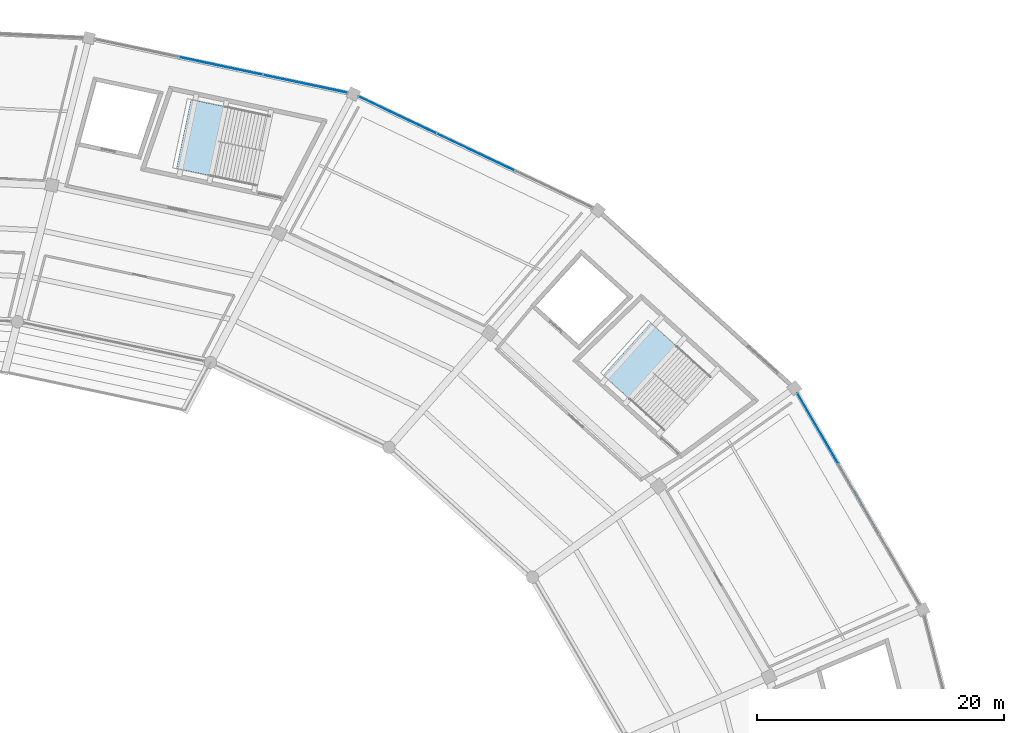
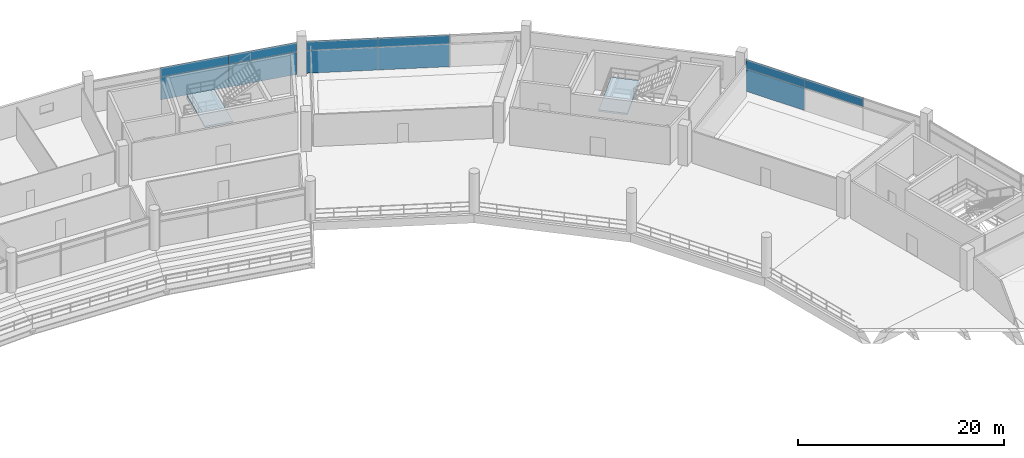
# One storey, part 127 of 171: 11 plates, 2 slabs, 5 elements without a shape of their own.
"""IFC4 building model written with IfcOpenShell, lengths in metres."""

from ifc_helpers import new_model, si_unit, direction, frame, origin, origin_2d, place, context, subcontext, project, spatial, polyline, rectangle, outline, extrude, material, layer, layer_set, type_object, element, aggregate, save


model = new_model("IFC4")

# Units and contexts
model_context = context("Model", 3, precision=1e-05, world=origin(), true_north=direction((0.0, 1.0)))
body_context = subcontext(model_context, "Body", "Model", "MODEL_VIEW")
ifc_project = project(units=[si_unit("LENGTHUNIT", "METRE"), si_unit("AREAUNIT", "SQUARE_METRE"), si_unit("VOLUMEUNIT", "CUBIC_METRE"), si_unit("PLANEANGLEUNIT", "RADIAN"), si_unit("MASSUNIT", "GRAM", prefix="KILO")], contexts=[model_context])

# Site, building, storey
site_placement = place(None, origin())
site = spatial("IfcSite", under=ifc_project, at=site_placement, CompositionType="ELEMENT")
building_placement = place(site_placement, origin())
building = spatial("IfcBuilding", under=site, at=building_placement, Name="Kazemori Nagisa Stadium", CompositionType="ELEMENT")
storey_placement = place(building_placement, frame((0.0, 0.0, 15.639892578125)))
storey = spatial("IfcBuildingStorey", under=building, at=storey_placement, Name="L03", CompositionType="ELEMENT", Elevation=15.639892578125)

# Curtain wall, plates
ifc_material_1 = material(Name="Anodised aluminium 6063-T5", Category="aluminium")
ifc_layer_1 = layer(ifc_material_1, 0.2099609375, Name="Anodised aluminium 6063-T5", Category="aluminium")
ifc_layer_set_1 = layer_set([ifc_layer_1], Name="Anodised aluminium 6063-T5")
curtain_wall_type_1 = type_object("IfcCurtainWallType", Name="CW_L03R3_105", PredefinedType="USERDEFINED", material=ifc_layer_set_1)
curtain_wall_1_placement = place(storey_placement, origin())
curtain_wall_1 = element("IfcCurtainWall", 1, at=curtain_wall_1_placement, inside=storey, type_object=curtain_wall_type_1, Name="Unitised curtain wall CW-L03R3-105 L03", ObjectType="UNITISED CURTAIN WALL", PredefinedType="USERDEFINED")
ifc_material_2 = material(Name="Anodised aluminium spandrel sheet", Category="aluminium")
ifc_layer_2 = layer(ifc_material_2, 0.050048828125, Name="Anodised aluminium spandrel sheet", Category="aluminium")
ifc_layer_set_2 = layer_set([ifc_layer_2], Name="Anodised aluminium spandrel sheet")
plate_type_1 = type_object("IfcPlateType", Name="CWPanel_SPN_L03R3_105", PredefinedType="CURTAIN_PANEL", material=ifc_layer_set_2)
plate_1_placement = place(storey_placement, frame((175.701416015625, 177.76171875, 2.705078125), z_axis=(0.0, 0.0, 1.0), x_axis=(-0.903215892654, 0.429186499388, 0.0)))
plate_1 = element("IfcPlate", 2, at=plate_1_placement, type_object=plate_type_1, Name="Curtain wall spandrel panel CW-L03R3-105-S2", PredefinedType="CURTAIN_PANEL", context=body_context, shape_type="SweptSolid", body=[
    extrude(rectangle(XDim=6.964111328125, YDim=0.050048828125, at=origin_2d()), origin(), (0.0, 0.0, 1.0), 1.10498046875),
])
plate_2_placement = place(storey_placement, frame((169.3896484375, 180.7607421875, 2.705078125), z_axis=(0.0, 0.0, 1.0), x_axis=(-0.903215892654, 0.429186499388, 0.0)))
plate_2 = element("IfcPlate", 3, at=plate_2_placement, type_object=plate_type_1, Name="Curtain wall spandrel panel CW-L03R3-105-S3", PredefinedType="CURTAIN_PANEL", context=body_context, shape_type="SweptSolid", body=[
    extrude(rectangle(XDim=6.964111328125, YDim=0.050048828125, at=origin_2d()), origin(), (0.0, 0.0, 1.0), 1.10498046875),
])

curtain_wall_2_placement = place(storey_placement, origin())
curtain_wall_2 = element("IfcCurtainWall", 4, at=curtain_wall_2_placement, inside=storey, type_object=curtain_wall_type_1, Name="Unitised curtain wall CW-L03R3-105 L03", ObjectType="UNITISED CURTAIN WALL", PredefinedType="USERDEFINED")
plate_3_placement = place(storey_placement, frame((161.93212890625, 183.283447265625, 2.705078125), z_axis=(0.0, 0.0, 1.0), x_axis=(-0.978344955407, 0.206981033502, 0.0)))
plate_3 = element("IfcPlate", 5, at=plate_3_placement, type_object=plate_type_1, Name="Curtain wall spandrel panel CW-L03R3-105-S1", PredefinedType="CURTAIN_PANEL", context=body_context, shape_type="SweptSolid", body=[
    extrude(rectangle(XDim=6.942626953125, YDim=0.050048828125, at=origin_2d()), origin(), (0.0, 0.0, 1.0), 1.10498046875),
])
plate_4_placement = place(storey_placement, frame((155.1162109375, 184.7255859375, 2.705078125), z_axis=(0.0, 0.0, 1.0), x_axis=(-0.978344955407, 0.206981033502, 0.0)))
plate_4 = element("IfcPlate", 6, at=plate_4_placement, type_object=plate_type_1, Name="Curtain wall spandrel panel CW-L03R3-105-S2", PredefinedType="CURTAIN_PANEL", context=body_context, shape_type="SweptSolid", body=[
    extrude(rectangle(XDim=6.942626953125, YDim=0.050048828125, at=origin_2d()), origin(), (0.0, 0.0, 1.0), 1.10498046875),
])

ifc_layer_3 = layer(ifc_material_1, 0.2099609375, Name="Anodised aluminium 6063-T5", Category="aluminium")
ifc_layer_set_3 = layer_set([ifc_layer_3], Name="Anodised aluminium 6063-T5")
curtain_wall_type_2 = type_object("IfcCurtainWallType", Name="CW_L03R3_99", PredefinedType="USERDEFINED", material=ifc_layer_set_3)
curtain_wall_3_placement = place(storey_placement, origin())
curtain_wall_3 = element("IfcCurtainWall", 7, at=curtain_wall_3_placement, inside=storey, type_object=curtain_wall_type_2, Name="Unitised curtain wall CW-L03R3-99 L03", ObjectType="UNITISED CURTAIN WALL", PredefinedType="USERDEFINED")
ifc_layer_4 = layer(ifc_material_2, 0.050048828125, Name="Anodised aluminium spandrel sheet", Category="aluminium")
ifc_layer_set_4 = layer_set([ifc_layer_4], Name="Anodised aluminium spandrel sheet")
plate_type_2 = type_object("IfcPlateType", Name="CWPanel_SPN_L03R3_99", PredefinedType="CURTAIN_PANEL", material=ifc_layer_set_4)
plate_5_placement = place(storey_placement, frame((206.690185546875, 149.70849609375, 2.705078125), z_axis=(0.0, 0.0, 1.0), x_axis=(-0.501611590054, 0.865092950337, 0.0)))
plate_5 = element("IfcPlate", 8, at=plate_5_placement, type_object=plate_type_2, Name="Curtain wall spandrel panel CW-L03R3-99-S2", PredefinedType="CURTAIN_PANEL", context=body_context, shape_type="SweptSolid", body=[
    extrude(rectangle(XDim=6.563232421875, YDim=0.050048828125, at=origin_2d()), origin(), (0.0, 0.0, 1.0), 1.10498046875),
])
plate_6_placement = place(storey_placement, frame((203.3857421875, 155.4072265625, 2.705078125), z_axis=(0.0, 0.0, 1.0), x_axis=(-0.501611590054, 0.865092950337, 0.0)))
plate_6 = element("IfcPlate", 9, at=plate_6_placement, type_object=plate_type_2, Name="Curtain wall spandrel panel CW-L03R3-99-S3", PredefinedType="CURTAIN_PANEL", context=body_context, shape_type="SweptSolid", body=[
    extrude(rectangle(XDim=6.563232421875, YDim=0.050048828125, at=origin_2d()), origin(), (0.0, 0.0, 1.0), 1.10498046875),
])

# Plate
ifc_material_3 = material(Name="Low-e laminated double glazing", Category="glass")
ifc_layer_5 = layer(ifc_material_3, 0.031982421875, Name="Low-e laminated double glazing", Category="glass")
ifc_layer_set_5 = layer_set([ifc_layer_5], Name="Low-e laminated double glazing")
plate_type_3 = type_object("IfcPlateType", Name="CWPanel_VIS_L03R3_105", PredefinedType="CURTAIN_PANEL", material=ifc_layer_set_5)
plate_7_placement = place(storey_placement, frame((175.701416015625, 177.76171875, 0.0), z_axis=(0.0, 0.0, 1.0), x_axis=(-0.903215892654, 0.429186499388, 0.0)))
plate_7 = element("IfcPlate", 10, at=plate_7_placement, type_object=plate_type_3, Name="Curtain wall vision panel CW-L03R3-105-V2", PredefinedType="CURTAIN_PANEL", context=body_context, shape_type="SweptSolid", body=[
    extrude(rectangle(XDim=6.964111328125, YDim=0.031982421875, at=origin_2d()), origin(), (0.0, 0.0, 1.0), 2.705078125),
])

plate_8_placement = place(storey_placement, frame((169.3896484375, 180.7607421875, 0.0), z_axis=(0.0, 0.0, 1.0), x_axis=(-0.903215892654, 0.429186499388, 0.0)))
plate_8 = element("IfcPlate", 11, at=plate_8_placement, type_object=plate_type_3, Name="Curtain wall vision panel CW-L03R3-105-V3", PredefinedType="CURTAIN_PANEL", context=body_context, shape_type="SweptSolid", body=[
    extrude(rectangle(XDim=6.964111328125, YDim=0.031982421875, at=origin_2d()), origin(), (0.0, 0.0, 1.0), 2.705078125),
])

aggregate(curtain_wall_1, [plate_7, plate_1, plate_8, plate_2])

plate_9_placement = place(storey_placement, frame((161.93212890625, 183.283447265625, 0.0), z_axis=(0.0, 0.0, 1.0), x_axis=(-0.978344955407, 0.206981033502, 0.0)))
plate_9 = element("IfcPlate", 12, at=plate_9_placement, type_object=plate_type_3, Name="Curtain wall vision panel CW-L03R3-105-V1", PredefinedType="CURTAIN_PANEL", context=body_context, shape_type="SweptSolid", body=[
    extrude(rectangle(XDim=6.942626953125, YDim=0.031982421875, at=origin_2d()), origin(), (0.0, 0.0, 1.0), 2.705078125),
])

plate_10_placement = place(storey_placement, frame((155.1162109375, 184.7255859375, 0.0), z_axis=(0.0, 0.0, 1.0), x_axis=(-0.978344955407, 0.206981033502, 0.0)))
plate_10 = element("IfcPlate", 13, at=plate_10_placement, type_object=plate_type_3, Name="Curtain wall vision panel CW-L03R3-105-V2", PredefinedType="CURTAIN_PANEL", context=body_context, shape_type="SweptSolid", body=[
    extrude(rectangle(XDim=6.942626953125, YDim=0.031982421875, at=origin_2d()), origin(), (0.0, 0.0, 1.0), 2.705078125),
])

aggregate(curtain_wall_2, [plate_9, plate_3, plate_10, plate_4])

ifc_layer_6 = layer(ifc_material_3, 0.031982421875, Name="Low-e laminated double glazing", Category="glass")
ifc_layer_set_6 = layer_set([ifc_layer_6], Name="Low-e laminated double glazing")
plate_type_4 = type_object("IfcPlateType", Name="CWPanel_VIS_L03R3_99", PredefinedType="CURTAIN_PANEL", material=ifc_layer_set_6)
plate_11_placement = place(storey_placement, frame((203.3857421875, 155.4072265625, 0.0), z_axis=(0.0, 0.0, 1.0), x_axis=(-0.501611590054, 0.865092950337, 0.0)))
plate_11 = element("IfcPlate", 14, at=plate_11_placement, type_object=plate_type_4, Name="Curtain wall vision panel CW-L03R3-99-V3", PredefinedType="CURTAIN_PANEL", context=body_context, shape_type="SweptSolid", body=[
    extrude(rectangle(XDim=6.563232421875, YDim=0.031982421875, at=origin_2d()), origin(), (0.0, 0.0, 1.0), 2.705078125),
])

aggregate(curtain_wall_3, [plate_5, plate_11, plate_6])

# Stair, slab
ifc_material_4 = material(Name="Concrete C36/45 (Fc36)", Category="concrete")
stair_type = type_object("IfcStairType", Name="Stair_CORE_28", PredefinedType="TWO_STRAIGHT_RUN_STAIR", material=ifc_material_4)
stair_1_placement = place(storey_placement, origin())
stair_1 = element("IfcStair", 15, at=stair_1_placement, inside=storey, type_object=stair_type, Name="Exit stair ST01 L03", PredefinedType="TWO_STRAIGHT_RUN_STAIR")
ifc_layer_7 = layer(ifc_material_4, 0.199951171875, Name="Concrete C36/45 (Fc36)", Category="concrete")
ifc_layer_set_7 = layer_set([ifc_layer_7], Name="Concrete C36/45 (Fc36)")
slab_type = type_object("IfcSlabType", Name="Slab_SL-LND-200", PredefinedType="LANDING", material=ifc_layer_set_7)
slab_1_placement = place(storey_placement, frame((0.0, 0.0, 2.18017578125)))
slab_1 = element("IfcSlab", 16, at=slab_1_placement, type_object=slab_type, Name="Exit stair ST01 L03 mid-landing", PredefinedType="LANDING", context=body_context, shape_type="SweptSolid", body=[
    extrude(outline(polyline([(188.15185546875, 157.800537109375), (186.0390625, 159.71337890625), (189.864501953125, 163.93896484375), (191.977294921875, 162.0263671875), (188.15185546875, 157.800537109375)])), origin(), (0.0, 0.0, 1.0), 0.199951171875),
])
aggregate(stair_1, [slab_1])

stair_2_placement = place(storey_placement, origin())
stair_2 = element("IfcStair", 17, at=stair_2_placement, inside=storey, type_object=stair_type, Name="Exit stair ST11 L03", PredefinedType="TWO_STRAIGHT_RUN_STAIR")
slab_2_placement = place(storey_placement, frame((0.0, 0.0, 2.18017578125)))
slab_2 = element("IfcSlab", 18, at=slab_2_placement, type_object=slab_type, Name="Exit stair ST11 L03 mid-landing", PredefinedType="LANDING", context=body_context, shape_type="SweptSolid", body=[
    extrude(outline(polyline([(154.283447265625, 175.84716796875), (151.4951171875, 176.43701171875), (152.6748046875, 182.013671875), (155.463134765625, 181.423828125), (154.283447265625, 175.84716796875)])), origin(), (0.0, 0.0, 1.0), 0.199951171875),
])
aggregate(stair_2, [slab_2])

save(model, "model.ifc")
